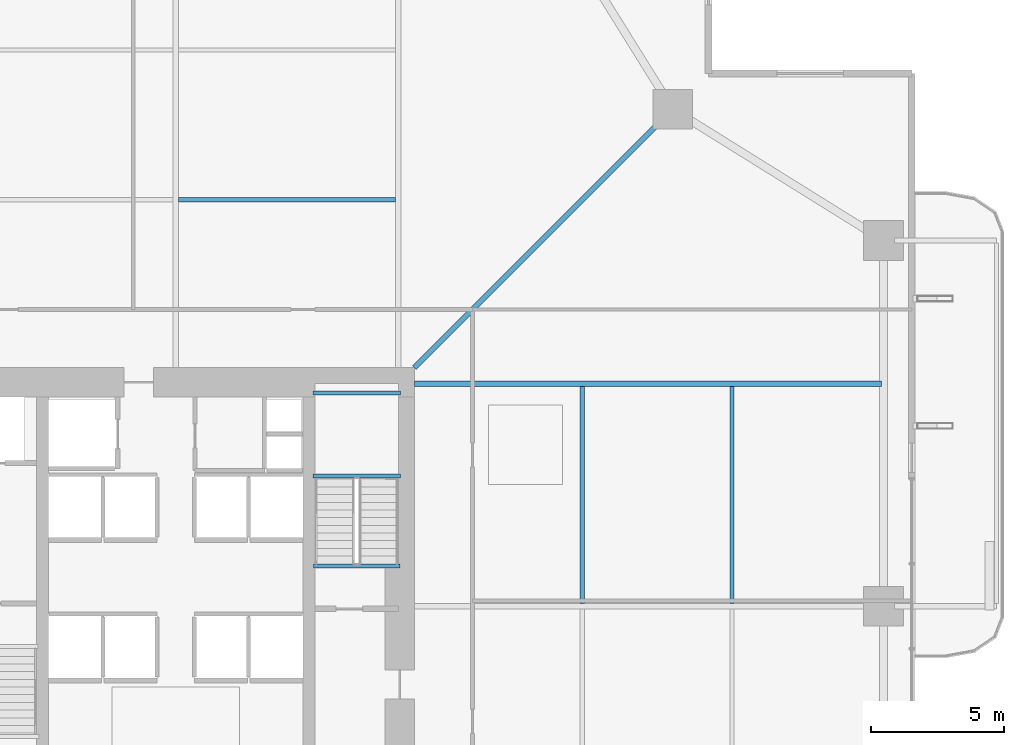
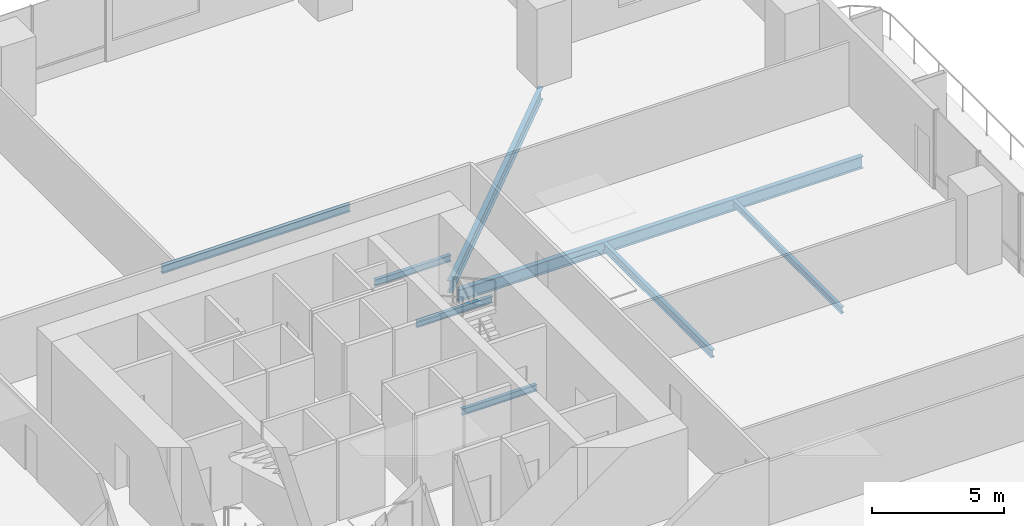
# One storey, part 12 of 23: 8 beams.
"""IFC4 building model written with IfcOpenShell, lengths in metres."""

from ifc_helpers import new_model, si_unit, direction, frame, origin, origin_2d, place, context, subcontext, project, spatial, i_section, extrude, material, material_profile, profile_set, type_object, element, save


model = new_model("IFC4")

# Units and contexts
model_context = context("Model", 3, precision=1e-05, world=origin(), true_north=direction((0.0, 1.0)))
body_context = subcontext(model_context, "Body", "Model", "MODEL_VIEW")
ifc_project = project(units=[si_unit("LENGTHUNIT", "METRE"), si_unit("AREAUNIT", "SQUARE_METRE"), si_unit("VOLUMEUNIT", "CUBIC_METRE"), si_unit("PLANEANGLEUNIT", "RADIAN"), si_unit("MASSUNIT", "GRAM", prefix="KILO")], contexts=[model_context])

# Site, building, storey
site_placement = place(None, origin())
site = spatial("IfcSite", under=ifc_project, at=site_placement, CompositionType="ELEMENT")
building_placement = place(site_placement, origin())
building = spatial("IfcBuilding", under=site, at=building_placement, Name="Belovzor Exchange Tower", CompositionType="ELEMENT")
storey_placement = place(building_placement, frame((0.0, 0.0, 84.60009765625)))
storey = spatial("IfcBuildingStorey", under=building, at=storey_placement, Name="L20", CompositionType="ELEMENT", Elevation=84.60009765625)

# Beams
ifc_material_1 = material(Name="Steel S355", Category="steel")
ifc_material_profile_1 = material_profile(ifc_material_1, i_section(OverallWidth=0.169921875, OverallDepth=0.360107421875, WebThickness=0.008056640625, FlangeThickness=0.0126953125, at=origin_2d()))
ifc_profile_set_1 = profile_set([ifc_material_profile_1], Name="Steel S355")
beam_type_1 = type_object("IfcBeamType", Name="Secondary Infill Floor Joist IPE 360", PredefinedType="BEAM", material=ifc_profile_set_1)
for number, where, z_axis, x_axis, name in (
    (1, (28.905029296875, 44.14501953125, -0.43017578125), (1.0, 0.0, 0.0), (0.0, 1.0, 0.0), "FJ-360 Secondary Infill Floor Joist IPE 360"),
    (2, (44.14501953125, 28.905029296875, -0.43017578125), (0.0, 1.0, 0.0), (-1.0, 0.0, 0.0), "FJ-360 Secondary Infill Floor Joist IPE 360"),
):
    element("IfcBeam", number, at=place(storey_placement, frame(where, z_axis=z_axis, x_axis=x_axis)), inside=storey, type_object=beam_type_1, Name=name, PredefinedType="BEAM", context=body_context, shape_type="SweptSolid", body=[
        extrude(i_section(OverallWidth=0.169921875, OverallDepth=0.360107421875, WebThickness=0.008056640625, FlangeThickness=0.0126953125, at=origin_2d()), origin(), (0.0, 0.0, 1.0), 8.18994140625),
    ])
ifc_material_2 = material(Name="Steel S355", Category="steel")
ifc_material_profile_2 = material_profile(ifc_material_2, i_section(OverallWidth=0.14990234375, OverallDepth=0.300048828125, WebThickness=0.007080078125, FlangeThickness=0.0107421875, at=origin_2d()))
ifc_profile_set_2 = profile_set([ifc_material_profile_2], Name="Steel S355")
beam_type_2 = type_object("IfcBeamType", Name="Secondary Trim Floor Joist IPE 300", PredefinedType="BEAM", material=ifc_profile_set_2)
for number, where, z_axis, x_axis, name in (
    (3, (37.280029296875, 33.7099609375, 1.599853515625), (-1.0, 0.0, 0.0), (0.0, -1.0, 0.0), "FJ-300 Secondary Trim Floor Joist IPE 300"),
    (4, (37.280029296875, 36.85009765625, 1.599853515625), (-1.0, 0.0, 0.0), (0.0, -1.0, 0.0), "FJ-300 Secondary Trim Floor Joist IPE 300"),
):
    element("IfcBeam", number, at=place(storey_placement, frame(where, z_axis=z_axis, x_axis=x_axis)), inside=storey, type_object=beam_type_2, Name=name, PredefinedType="BEAM", context=body_context, shape_type="SweptSolid", body=[
        extrude(i_section(OverallWidth=0.14990234375, OverallDepth=0.300048828125, WebThickness=0.007080078125, FlangeThickness=0.0107421875, at=origin_2d()), origin(), (0.0, 0.0, 1.0), 3.31005859375),
    ])
beam_1_placement = place(storey_placement, frame((37.260009765625, 30.320068359375, -0.400146484375), z_axis=(-1.0, 0.0, 0.0), x_axis=(0.0, -1.0, 0.0)))
element("IfcBeam", 5, at=beam_1_placement, inside=storey, type_object=beam_type_2, Name="FJ-300 Secondary Trim Floor Joist IPE 300", PredefinedType="BEAM", context=body_context, shape_type="SweptSolid", body=[
    extrude(i_section(OverallWidth=0.14990234375, OverallDepth=0.300048828125, WebThickness=0.007080078125, FlangeThickness=0.0107421875, at=origin_2d()), origin(), (0.0, 0.0, 1.0), 3.27001953125),
])
beam_2_placement = place(storey_placement, frame((49.784912109375, 28.905029296875, -0.400146484375), z_axis=(0.0, 1.0, 0.0), x_axis=(-1.0, 0.0, 0.0)))
element("IfcBeam", 6, at=beam_2_placement, inside=storey, type_object=beam_type_2, Name="FJ-300 Secondary Trim Floor Joist IPE 300", PredefinedType="BEAM", context=body_context, shape_type="SweptSolid", body=[
    extrude(i_section(OverallWidth=0.14990234375, OverallDepth=0.300048828125, WebThickness=0.007080078125, FlangeThickness=0.0107421875, at=origin_2d()), origin(), (0.0, 0.0, 1.0), 8.18994140625),
])
ifc_material_3 = material(Name="Steel S355", Category="steel")
ifc_material_profile_3 = material_profile(ifc_material_3, i_section(OverallWidth=0.2099609375, OverallDepth=0.550048828125, WebThickness=0.010986328125, FlangeThickness=0.01708984375, at=origin_2d()))
ifc_profile_set_3 = profile_set([ifc_material_profile_3], Name="Steel S355")
beam_type_3 = type_object("IfcBeamType", Name="Zone 1 Radial Composite Floor Beam IPE 550", PredefinedType="BEAM", material=ifc_profile_set_3)
beam_3_placement = place(storey_placement, frame((37.800048828125, 37.199951171875, -0.525146484375), z_axis=(1.0, 0.0, 0.0), x_axis=(0.0, 1.0, 0.0)))
element("IfcBeam", 7, at=beam_3_placement, inside=storey, type_object=beam_type_3, Name="FB-550 Zone 1 Radial Composite Floor Beam IPE 550", PredefinedType="BEAM", context=body_context, shape_type="SweptSolid", body=[
    extrude(i_section(OverallWidth=0.2099609375, OverallDepth=0.550048828125, WebThickness=0.010986328125, FlangeThickness=0.01708984375, at=origin_2d()), origin(), (0.0, 0.0, 1.0), 17.625),
])
beam_4_placement = place(storey_placement, frame((37.800048828125, 37.800048828125, -0.525146484375), z_axis=(0.707106781187, 0.707106781187, 0.0), x_axis=(-0.707106781187, 0.707106781187, 0.0)))
element("IfcBeam", 8, at=beam_4_placement, inside=storey, type_object=beam_type_3, Name="FB-550 Zone 1 Radial Composite Floor Beam IPE 550", PredefinedType="BEAM", context=body_context, shape_type="SweptSolid", body=[
    extrude(i_section(OverallWidth=0.2099609375, OverallDepth=0.550048828125, WebThickness=0.010986328125, FlangeThickness=0.01708984375, at=origin_2d()), origin(), (0.0, 0.0, 1.0), 13.25830078125),
])

save(model, "model.ifc")
